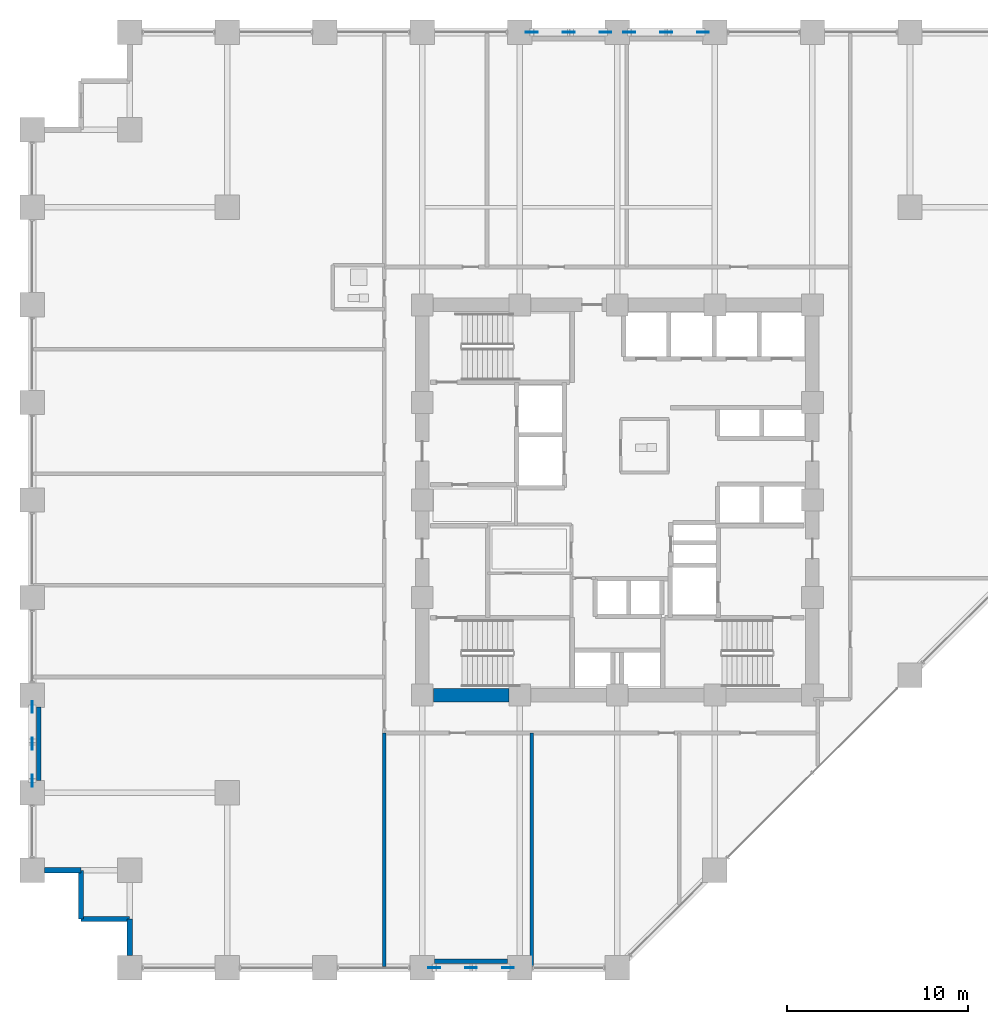
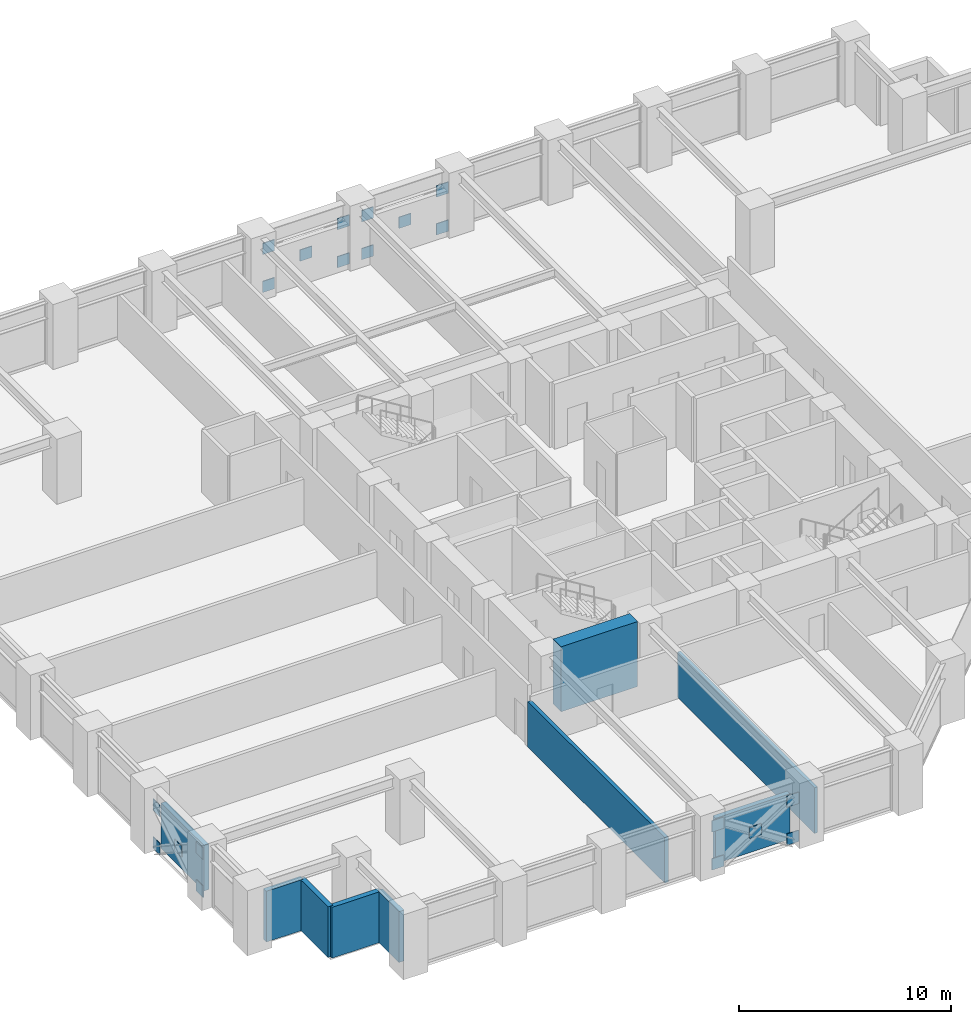
# One storey, part 19 of 24: 20 plates, 9 walls.
"""IFC4 building model written with IfcOpenShell, lengths in metres."""

from ifc_helpers import new_model, si_unit, direction, frame, frame_2d, origin, origin_2d, place, context, subcontext, project, spatial, rectangle, extrude, material, layer, layer_set, type_object, element, save


model = new_model("IFC4")

# Units and contexts
model_context = context("Model", 3, precision=1e-05, world=origin(), true_north=direction((0.0, 1.0)))
body_context = subcontext(model_context, "Body", "Model", "MODEL_VIEW")
ifc_project = project(units=[si_unit("LENGTHUNIT", "METRE"), si_unit("AREAUNIT", "SQUARE_METRE"), si_unit("VOLUMEUNIT", "CUBIC_METRE"), si_unit("PLANEANGLEUNIT", "RADIAN"), si_unit("MASSUNIT", "GRAM", prefix="KILO")], contexts=[model_context])

# Site, building, storey
site_placement = place(None, origin())
site = spatial("IfcSite", under=ifc_project, at=site_placement, CompositionType="ELEMENT")
building_placement = place(site_placement, origin())
building = spatial("IfcBuilding", under=site, at=building_placement, Name="Surkhivell Harbour Commons", CompositionType="ELEMENT")
storey_placement = place(building_placement, frame((0.0, 0.0, 30.0)))
storey = spatial("IfcBuildingStorey", under=building, at=storey_placement, Name="L07", CompositionType="ELEMENT", Elevation=30.0)

# Plates
ifc_material_1 = material(Name="Steel S460", Category="steel")
ifc_layer_1 = layer(ifc_material_1, 0.044921875)
ifc_layer_set_1 = layer_set([ifc_layer_1], Name="Steel S460")
plate_type = type_object("IfcPlateType", Name="PLT-GUS-650", PredefinedType="USERDEFINED", material=ifc_layer_set_1)
for number, where, z_axis, x_axis, name in (
    (1, (-4.739990234375, 25.89990234375, -0.08935546875), (0.0, 0.0, 1.0), (1.0, 0.0, 0.0), "L07 Perimeter Mega-Brace MB- Corner Gusset N-1"),
    (2, (-0.659912109375, 25.89990234375, -0.08935546875), (0.0, 0.0, 1.0), (1.0, 0.0, 0.0), "L07 Perimeter Mega-Brace MB- Corner Gusset N-2"),
    (3, (-4.739990234375, 25.89990234375, 2.1005859375), (0.0, 0.0, 1.0), (1.0, 0.0, 0.0), "L07 Perimeter Mega-Brace MB- Corner Gusset N-3"),
    (4, (-0.659912109375, 25.89990234375, 2.1005859375), (0.0, 0.0, 1.0), (1.0, 0.0, 0.0), "L07 Perimeter Mega-Brace MB- Corner Gusset N-4"),
    (5, (-2.699951171875, 25.89990234375, 1.005615234375), (0.0, 0.0, 1.0), (1.0, 0.0, 0.0), "L07 Perimeter Mega-Brace MB- Central Crossing Gusset N"),
    (6, (0.659912109375, 25.89990234375, -0.08935546875), (0.0, 0.0, 1.0), (1.0, 0.0, 0.0), "L07 Perimeter Mega-Brace MB- Corner Gusset N2-1"),
    (7, (4.739990234375, 25.89990234375, -0.08935546875), (0.0, 0.0, 1.0), (1.0, 0.0, 0.0), "L07 Perimeter Mega-Brace MB- Corner Gusset N2-2"),
    (8, (0.659912109375, 25.89990234375, 2.1005859375), (0.0, 0.0, 1.0), (1.0, 0.0, 0.0), "L07 Perimeter Mega-Brace MB- Corner Gusset N2-3"),
    (9, (4.739990234375, 25.89990234375, 2.1005859375), (0.0, 0.0, 1.0), (1.0, 0.0, 0.0), "L07 Perimeter Mega-Brace MB- Corner Gusset N2-4"),
    (10, (2.699951171875, 25.89990234375, 1.005615234375), (0.0, 0.0, 1.0), (1.0, 0.0, 0.0), "L07 Perimeter Mega-Brace MB- Central Crossing Gusset N2"),
    (11, (-10.139892578125, -25.89990234375, -0.08935546875), (0.0, 0.0, 1.0), (1.0, 0.0, 0.0), "L07 Perimeter Mega-Brace MB- Corner Gusset S-1"),
    (12, (-6.06005859375, -25.89990234375, -0.08935546875), (0.0, 0.0, 1.0), (1.0, 0.0, 0.0), "L07 Perimeter Mega-Brace MB- Corner Gusset S-2"),
    (13, (-10.139892578125, -25.89990234375, 2.1005859375), (0.0, 0.0, 1.0), (1.0, 0.0, 0.0), "L07 Perimeter Mega-Brace MB- Corner Gusset S-3"),
    (14, (-6.06005859375, -25.89990234375, 2.1005859375), (0.0, 0.0, 1.0), (1.0, 0.0, 0.0), "L07 Perimeter Mega-Brace MB- Corner Gusset S-4"),
    (15, (-8.10009765625, -25.89990234375, 1.005615234375), (0.0, 0.0, 1.0), (1.0, 0.0, 0.0), "L07 Perimeter Mega-Brace MB- Central Crossing Gusset S"),
    (16, (-32.39990234375, -15.5400390625, -0.08935546875), (0.0, 0.0, 1.0), (0.0, 1.0, 0.0), "L07 Perimeter Mega-Brace MB- Corner Gusset W-1"),
    (17, (-32.39990234375, -11.4599609375, -0.08935546875), (0.0, 0.0, 1.0), (0.0, 1.0, 0.0), "L07 Perimeter Mega-Brace MB- Corner Gusset W-2"),
    (18, (-32.39990234375, -15.5400390625, 2.1005859375), (0.0, 0.0, 1.0), (0.0, 1.0, 0.0), "L07 Perimeter Mega-Brace MB- Corner Gusset W-3"),
    (19, (-32.39990234375, -11.4599609375, 2.1005859375), (0.0, 0.0, 1.0), (0.0, 1.0, 0.0), "L07 Perimeter Mega-Brace MB- Corner Gusset W-4"),
    (20, (-32.39990234375, -13.5, 1.005615234375), (0.0, 0.0, 1.0), (0.0, 1.0, 0.0), "L07 Perimeter Mega-Brace MB- Central Crossing Gusset W"),
):
    element("IfcPlate", number, at=place(storey_placement, frame(where, z_axis=z_axis, x_axis=x_axis)), inside=storey, type_object=plate_type, Name=name, ObjectType="GUSSET_PLATE", PredefinedType="USERDEFINED", context=body_context, shape_type="SweptSolid", body=[
        extrude(rectangle(XDim=0.64990234375, YDim=0.044921875, at=origin_2d()), origin(), (0.0, 0.0, 1.0), 0.64990234375),
    ])

# Walls
ifc_material_2 = material(Name="Concrete C60/75", Category="concrete")
ifc_layer_2 = layer(ifc_material_2, 0.75)
ifc_layer_set_2 = layer_set([ifc_layer_2], Name="Concrete C60/75")
wall_type_1 = type_object("IfcWallType", Name="WAL-CORE-750", PredefinedType="SHEAR", material=ifc_layer_set_2)
wall_1_placement = place(storey_placement, frame((-10.18994140625, -10.800048828125, 0.0), z_axis=(0.0, 0.0, 1.0), x_axis=(1.0, 0.0, 0.0)))
element("IfcWall", 21, at=wall_1_placement, inside=storey, type_object=wall_type_1, Name="L07 Core Shear Wall South 1", PredefinedType="SHEAR", context=body_context, shape_type="SweptSolid", body=[
    extrude(rectangle(XDim=4.179931640625, YDim=0.75, at=frame_2d((2.08984375, 0.0))), origin(), (0.0, 0.0, 1.0), 3.75),
])
ifc_material_3 = material(Name="Pale-metal insulated precast concrete C45/55", Category="concrete")
ifc_layer_3 = layer(ifc_material_3, 0.260009765625)
ifc_layer_set_3 = layer_set([ifc_layer_3], Name="Pale-metal insulated precast concrete C45/55")
wall_type_2 = type_object("IfcWallType", Name="WAL-EXT-MTL260", PredefinedType="STANDARD", material=ifc_layer_set_3)
wall_2_placement = place(storey_placement, frame((-10.126953125, -25.5400390625, 0.0), z_axis=(0.0, 0.0, 1.0), x_axis=(1.0, 0.0, 0.0)))
element("IfcWall", 22, at=wall_2_placement, inside=storey, type_object=wall_type_2, Name="L07 Braced-Bay Insulated Spandrel Backing S", PredefinedType="STANDARD", context=body_context, shape_type="SweptSolid", body=[
    extrude(rectangle(XDim=4.053955078125, YDim=0.260009765625, at=frame_2d((2.02685546875, 0.0))), origin(), (0.0, 0.0, 1.0), 2.62890625),
])
wall_3_placement = place(storey_placement, frame((-32.0400390625, -11.472900390625, 0.0), z_axis=(0.0, 0.0, 1.0), x_axis=(0.0, -1.0, 0.0)))
element("IfcWall", 23, at=wall_3_placement, inside=storey, type_object=wall_type_2, Name="L07 Braced-Bay Insulated Spandrel Backing W", PredefinedType="STANDARD", context=body_context, shape_type="SweptSolid", body=[
    extrude(rectangle(XDim=4.05419921875, YDim=0.260009765625, at=frame_2d((2.027099609375, 0.0))), origin(), (0.0, 0.0, 1.0), 2.62890625),
])
ifc_material_4 = material(Name="Terracotta-clad reinforced concrete C45/55", Category="masonry")
ifc_layer_4 = layer(ifc_material_4, 0.280029296875)
ifc_layer_set_4 = layer_set([ifc_layer_4], Name="Terracotta-clad reinforced concrete C45/55")
wall_type_3 = type_object("IfcWallType", Name="WAL-EXT-TER280", PredefinedType="STANDARD", material=ifc_layer_set_4)
wall_4_placement = place(storey_placement, frame((-31.72705078125, -20.5, 0.0), z_axis=(0.0, 0.0, 1.0), x_axis=(1.0, 0.0, 0.0)))
element("IfcWall", 24, at=wall_4_placement, inside=storey, type_object=wall_type_3, Name="L07 Serrated Corner Facade Wall 13", PredefinedType="STANDARD", context=body_context, shape_type="SweptSolid", body=[
    extrude(rectangle(XDim=2.027099609375, YDim=0.280029296875, at=frame_2d((1.013671875, 0.0))), origin(), (0.0, 0.0, 1.0), 2.929931640625),
])
for number, where, z_axis, x_axis, name in (
    (25, (-29.699951171875, -20.5, 0.0), (0.0, 0.0, 1.0), (0.0, -1.0, 0.0), "L07 Serrated Corner Facade Wall 14"),
    (26, (-29.699951171875, -23.199951171875, 0.0), (0.0, 0.0, 1.0), (1.0, 0.0, 0.0), "L07 Serrated Corner Facade Wall 15"),
):
    element("IfcWall", number, at=place(storey_placement, frame(where, z_axis=z_axis, x_axis=x_axis)), inside=storey, type_object=wall_type_3, Name=name, PredefinedType="STANDARD", context=body_context, shape_type="SweptSolid", body=[
        extrude(rectangle(XDim=2.699951171875, YDim=0.280029296875, at=frame_2d((1.35009765625, 0.0))), origin(), (0.0, 0.0, 1.0), 2.929931640625),
    ])
wall_5_placement = place(storey_placement, frame((-27.0, -23.199951171875, 0.0), z_axis=(0.0, 0.0, 1.0), x_axis=(0.0, -1.0, 0.0)))
element("IfcWall", 27, at=wall_5_placement, inside=storey, type_object=wall_type_3, Name="L07 Serrated Corner Facade Wall 16", PredefinedType="STANDARD", context=body_context, shape_type="SweptSolid", body=[
    extrude(rectangle(XDim=2.027099609375, YDim=0.280029296875, at=frame_2d((1.013671875, 0.0))), origin(), (0.0, 0.0, 1.0), 2.929931640625),
])
ifc_material_5 = material(Name="High-density acoustic blockwork fire partition", Category="masonry")
ifc_layer_5 = layer(ifc_material_5, 0.175048828125)
ifc_layer_set_5 = layer_set([ifc_layer_5], Name="High-density acoustic blockwork fire partition")
wall_type_4 = type_object("IfcWallType", Name="WAL-INT-175", PredefinedType="PARTITIONING", material=ifc_layer_set_5)
wall_6_placement = place(storey_placement, frame((-4.739990234375, -25.840087890625, 0.0), z_axis=(0.0, 0.0, 1.0), x_axis=(0.0, 1.0, 0.0)))
element("IfcWall", 28, at=wall_6_placement, inside=storey, type_object=wall_type_4, Name="L07 South Partition P1", PredefinedType="PARTITIONING", context=body_context, shape_type="SweptSolid", body=[
    extrude(rectangle(XDim=12.940185546875, YDim=0.175048828125, at=frame_2d((6.47021484375, 0.0))), origin(), (0.0, 0.0, 1.0), 2.62890625),
])
ifc_material_6 = material(Name="Autoclaved aerated concrete blockwork and fire plaster", Category="masonry")
ifc_layer_6 = layer(ifc_material_6, 0.199951171875)
ifc_layer_set_6 = layer_set([ifc_layer_6], Name="Autoclaved aerated concrete blockwork and fire plaster")
wall_type_5 = type_object("IfcWallType", Name="WAL-INT-200", PredefinedType="PARTITIONING", material=ifc_layer_set_6)
wall_7_placement = place(storey_placement, frame((-12.89990234375, -25.840087890625, 0.0), z_axis=(0.0, 0.0, 1.0), x_axis=(0.0, 1.0, 0.0)))
element("IfcWall", 29, at=wall_7_placement, inside=storey, type_object=wall_type_5, Name="L07 South-West Wing Corner Divider", PredefinedType="PARTITIONING", context=body_context, shape_type="SweptSolid", body=[
    extrude(rectangle(XDim=12.940185546875, YDim=0.199951171875, at=frame_2d((6.47021484375, 0.0))), origin(), (0.0, 0.0, 1.0), 2.62890625),
])

save(model, "model.ifc")
